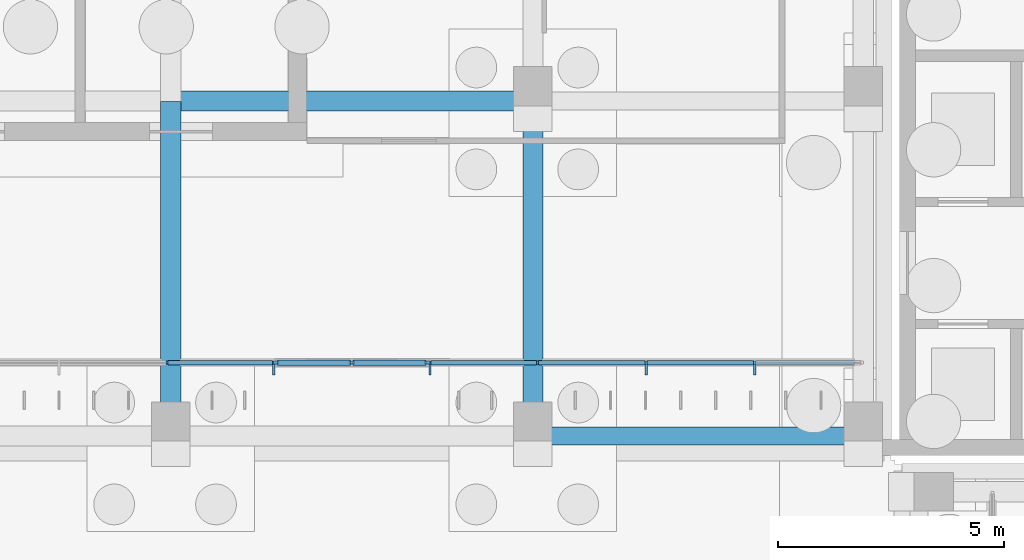
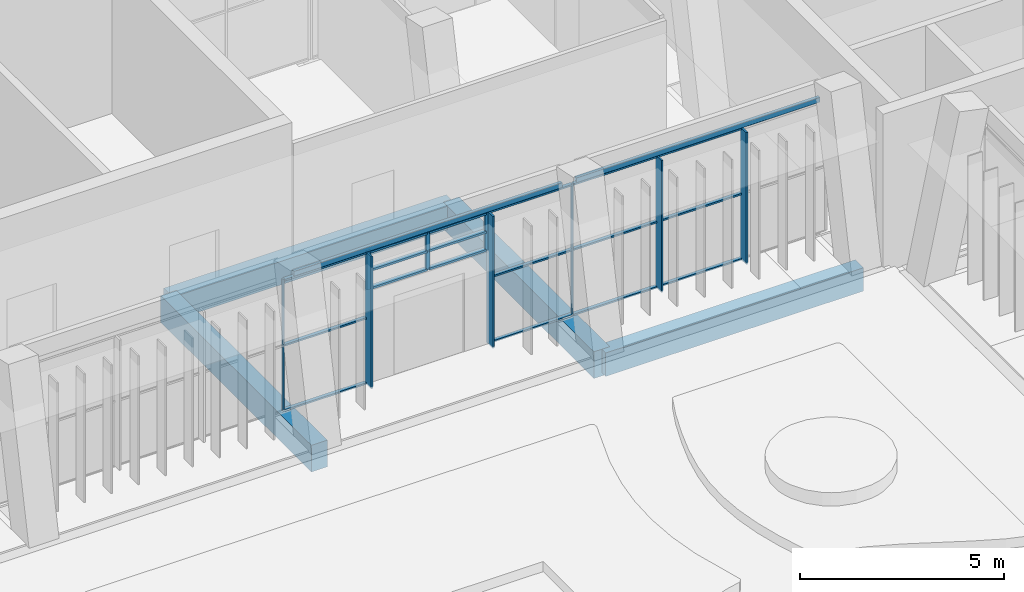
# One storey, part 78 of 144: 27 members, 6 beams, 3 elements without a shape of their own.
"""IFC4 building model written with IfcOpenShell, lengths in metres."""

from ifc_helpers import new_model, si_unit, direction, frame, origin, origin_2d, place, context, subcontext, project, spatial, rectangle, hollow_rectangle, extrude, material, material_profile, profile_set, type_object, element, aggregate, save


model = new_model("IFC4")

# Units and contexts
model_context = context("Model", 3, precision=1e-05, world=origin(), true_north=direction((0.0, 1.0)))
body_context = subcontext(model_context, "Body", "Model", "MODEL_VIEW")
ifc_project = project(units=[si_unit("LENGTHUNIT", "METRE"), si_unit("AREAUNIT", "SQUARE_METRE"), si_unit("VOLUMEUNIT", "CUBIC_METRE"), si_unit("PLANEANGLEUNIT", "RADIAN"), si_unit("MASSUNIT", "GRAM", prefix="KILO")], contexts=[model_context])

# Site, building, storey
site_placement = place(None, origin())
site = spatial("IfcSite", under=ifc_project, at=site_placement, CompositionType="ELEMENT")
building_placement = place(site_placement, origin())
building = spatial("IfcBuilding", under=site, at=building_placement, Name="Lantern Court Media Centre", CompositionType="ELEMENT")
storey_placement = place(building_placement, origin())
storey = spatial("IfcBuildingStorey", under=building, at=storey_placement, Name="L00", CompositionType="ELEMENT", Elevation=0.0)

# Curtain wall, member
ifc_material_1 = material(Name="Curtain wall bay 2400")
curtain_wall_type_1 = type_object("IfcCurtainWallType", Name="Curtain wall bay 2400", PredefinedType="NOTDEFINED", material=ifc_material_1)
curtain_wall_1_placement = place(storey_placement, origin())
curtain_wall_1 = element("IfcCurtainWall", 1, at=curtain_wall_1_placement, inside=storey, type_object=curtain_wall_type_1, Name="Curtain wall N inner L00", PredefinedType="NOTDEFINED")
ifc_material_2 = material(Name="Anodised aluminium", Category="aluminium")
ifc_material_profile_1 = material_profile(ifc_material_2, rectangle(XDim=0.300048828125, YDim=0.050048828125, at=origin_2d()), Name="AL 50x300")
ifc_profile_set_1 = profile_set([ifc_material_profile_1], Name="Anodised aluminium")
member_type_1 = type_object("IfcMemberType", Name="Curtain wall mullion 50x300", PredefinedType="MULLION", material=ifc_profile_set_1)
member_1_placement = place(storey_placement, frame((66.27490234375, 98.030029296875, 0.0), z_axis=(0.0, 0.0, 1.0), x_axis=(0.0, 1.0, 0.0)))
member_1 = element("IfcMember", 2, at=member_1_placement, type_object=member_type_1, Name="CW2 mullion 13", PredefinedType="MULLION", context=body_context, shape_type="SweptSolid", body=[
    extrude(rectangle(XDim=0.300048828125, YDim=0.050048828125, at=origin_2d()), origin(), (0.0, 0.0, 1.0), 3.949951171875),
])

# Curtain wall, members
curtain_wall_2_placement = place(storey_placement, origin())
curtain_wall_2 = element("IfcCurtainWall", 3, at=curtain_wall_2_placement, inside=storey, type_object=curtain_wall_type_1, Name="Curtain wall N inner L00", PredefinedType="NOTDEFINED")
member_2_placement = place(storey_placement, frame((69.72509765625, 98.030029296875, 0.0), z_axis=(0.0, 0.0, 1.0), x_axis=(0.0, 1.0, 0.0)))
member_2 = element("IfcMember", 4, at=member_2_placement, type_object=member_type_1, Name="CW2 mullion 1", PredefinedType="MULLION", context=body_context, shape_type="SweptSolid", body=[
    extrude(rectangle(XDim=0.300048828125, YDim=0.050048828125, at=origin_2d()), origin(), (0.0, 0.0, 1.0), 3.949951171875),
])
member_3_placement = place(storey_placement, frame((74.5, 98.030029296875, 0.0), z_axis=(0.0, 0.0, 1.0), x_axis=(0.0, 1.0, 0.0)))
member_3 = element("IfcMember", 5, at=member_3_placement, type_object=member_type_1, Name="CW2 mullion 3", PredefinedType="MULLION", context=body_context, shape_type="SweptSolid", body=[
    extrude(rectangle(XDim=0.300048828125, YDim=0.050048828125, at=origin_2d()), origin(), (0.0, 0.0, 1.0), 3.949951171875),
])
member_4_placement = place(storey_placement, frame((76.89990234375, 98.030029296875, 0.0), z_axis=(0.0, 0.0, 1.0), x_axis=(0.0, 1.0, 0.0)))
member_4 = element("IfcMember", 6, at=member_4_placement, type_object=member_type_1, Name="CW2 mullion 4", PredefinedType="MULLION", context=body_context, shape_type="SweptSolid", body=[
    extrude(rectangle(XDim=0.300048828125, YDim=0.050048828125, at=origin_2d()), origin(), (0.0, 0.0, 1.0), 3.949951171875),
])

# Member
ifc_material_profile_2 = material_profile(ifc_material_2, rectangle(XDim=0.06005859375, YDim=0.050048828125, at=origin_2d()), Name="AL 50x60")
ifc_profile_set_2 = profile_set([ifc_material_profile_2], Name="Anodised aluminium")
member_type_2 = type_object("IfcMemberType", Name="Curtain wall mullion 50x60", PredefinedType="MULLION", material=ifc_profile_set_2)
member_5_placement = place(storey_placement, frame((63.916748046875, 98.14990234375, 0.0), z_axis=(0.0, 0.0, 1.0), x_axis=(0.0, 1.0, 0.0)))
member_5 = element("IfcMember", 7, at=member_5_placement, type_object=member_type_2, Name="CW2 mullion 12", PredefinedType="MULLION", context=body_context, shape_type="SweptSolid", body=[
    extrude(rectangle(XDim=0.06005859375, YDim=0.050048828125, at=origin_2d()), origin(), (0.0, 0.0, 1.0), 3.949951171875),
])

member_6_placement = place(storey_placement, frame((72.10009765625, 98.14990234375, 0.0), z_axis=(0.0, 0.0, 1.0), x_axis=(0.0, 1.0, 0.0)))
member_6 = element("IfcMember", 8, at=member_6_placement, type_object=member_type_2, Name="CW2 mullion 2", PredefinedType="MULLION", context=body_context, shape_type="SweptSolid", body=[
    extrude(rectangle(XDim=0.06005859375, YDim=0.050048828125, at=origin_2d()), origin(), (0.0, 0.0, 1.0), 3.949951171875),
])

# Curtain wall, members
ifc_material_3 = material(Name="Curtain wall bay 1700")
curtain_wall_type_2 = type_object("IfcCurtainWallType", Name="Curtain wall bay 1700", PredefinedType="NOTDEFINED", material=ifc_material_3)
curtain_wall_3_placement = place(storey_placement, origin())
curtain_wall_3 = element("IfcCurtainWall", 9, at=curtain_wall_3_placement, inside=storey, type_object=curtain_wall_type_2, Name="Curtain wall N inner L00", PredefinedType="NOTDEFINED")
ifc_material_profile_3 = material_profile(ifc_material_2, rectangle(XDim=0.06005859375, YDim=0.1201171875, at=origin_2d()), Name="AL 60x120")
ifc_profile_set_3 = profile_set([ifc_material_profile_3], Name="Anodised aluminium")
member_type_3 = type_object("IfcMemberType", Name="Curtain wall mullion 60x120", PredefinedType="MULLION", material=ifc_profile_set_3)
member_7_placement = place(storey_placement, frame((66.330078125, 98.14990234375, 2.800048828125), z_axis=(0.0, 0.0, 1.0), x_axis=(0.0, 1.0, 0.0)))
member_7 = element("IfcMember", 10, at=member_7_placement, type_object=member_type_3, Name="CW4 mullion 1", PredefinedType="MULLION", context=body_context, shape_type="SweptSolid", body=[
    extrude(rectangle(XDim=0.06005859375, YDim=0.1201171875, at=origin_2d()), origin(), (0.0, 0.0, 1.0), 1.14990234375),
])
member_8_placement = place(storey_placement, frame((68.0, 98.14990234375, 2.800048828125), z_axis=(0.0, 0.0, 1.0), x_axis=(0.0, 1.0, 0.0)))
member_8 = element("IfcMember", 11, at=member_8_placement, type_object=member_type_3, Name="CW4 mullion 2", PredefinedType="MULLION", context=body_context, shape_type="SweptSolid", body=[
    extrude(rectangle(XDim=0.06005859375, YDim=0.1201171875, at=origin_2d()), origin(), (0.0, 0.0, 1.0), 1.14990234375),
])
member_9_placement = place(storey_placement, frame((69.669921875, 98.14990234375, 2.800048828125), z_axis=(0.0, 0.0, 1.0), x_axis=(0.0, 1.0, 0.0)))
member_9 = element("IfcMember", 12, at=member_9_placement, type_object=member_type_3, Name="CW4 mullion 3", PredefinedType="MULLION", context=body_context, shape_type="SweptSolid", body=[
    extrude(rectangle(XDim=0.06005859375, YDim=0.1201171875, at=origin_2d()), origin(), (0.0, 0.0, 1.0), 1.14990234375),
])

# Member
ifc_material_profile_4 = material_profile(ifc_material_2, rectangle(XDim=0.10009765625, YDim=0.050048828125, at=origin_2d()), Name="AL 50x100")
ifc_profile_set_4 = profile_set([ifc_material_profile_4], Name="Anodised aluminium")
member_type_4 = type_object("IfcMemberType", Name="Curtain wall transom 100x50", PredefinedType="USERDEFINED", material=ifc_profile_set_4)
member_10_placement = place(storey_placement, frame((63.941650390625, 98.14990234375, 0.02490234375), z_axis=(1.0, 0.0, 0.0), x_axis=(0.0, 1.0, 0.0)))
member_10 = element("IfcMember", 13, at=member_10_placement, type_object=member_type_4, Name="CW2 transom 12.1", ObjectType="TRANSOM", PredefinedType="USERDEFINED", context=body_context, shape_type="SweptSolid", body=[
    extrude(rectangle(XDim=0.10009765625, YDim=0.050048828125, at=origin_2d()), origin(), (0.0, 0.0, 1.0), 2.308349609375),
])

member_11_placement = place(storey_placement, frame((63.941650390625, 98.14990234375, 1.97509765625), z_axis=(1.0, 0.0, 0.0), x_axis=(0.0, 1.0, 0.0)))
member_11 = element("IfcMember", 14, at=member_11_placement, type_object=member_type_4, Name="CW2 transom 12.2", ObjectType="TRANSOM", PredefinedType="USERDEFINED", context=body_context, shape_type="SweptSolid", body=[
    extrude(rectangle(XDim=0.10009765625, YDim=0.050048828125, at=origin_2d()), origin(), (0.0, 0.0, 1.0), 2.308349609375),
])

member_12_placement = place(storey_placement, frame((63.941650390625, 98.14990234375, 3.925048828125), z_axis=(1.0, 0.0, 0.0), x_axis=(0.0, 1.0, 0.0)))
member_12 = element("IfcMember", 15, at=member_12_placement, type_object=member_type_4, Name="CW2 transom 12.3", ObjectType="TRANSOM", PredefinedType="USERDEFINED", context=body_context, shape_type="SweptSolid", body=[
    extrude(rectangle(XDim=0.10009765625, YDim=0.050048828125, at=origin_2d()), origin(), (0.0, 0.0, 1.0), 2.308349609375),
])

aggregate(curtain_wall_1, [member_5, member_1, member_10, member_11, member_12])

member_13_placement = place(storey_placement, frame((69.75, 98.14990234375, 0.02490234375), z_axis=(1.0, 0.0, 0.0), x_axis=(0.0, 1.0, 0.0)))
member_13 = element("IfcMember", 16, at=member_13_placement, type_object=member_type_4, Name="CW2 transom 1.1", ObjectType="TRANSOM", PredefinedType="USERDEFINED", context=body_context, shape_type="SweptSolid", body=[
    extrude(rectangle(XDim=0.10009765625, YDim=0.050048828125, at=origin_2d()), origin(), (0.0, 0.0, 1.0), 2.324951171875),
])

member_14_placement = place(storey_placement, frame((69.75, 98.14990234375, 1.97509765625), z_axis=(1.0, 0.0, 0.0), x_axis=(0.0, 1.0, 0.0)))
member_14 = element("IfcMember", 17, at=member_14_placement, type_object=member_type_4, Name="CW2 transom 1.2", ObjectType="TRANSOM", PredefinedType="USERDEFINED", context=body_context, shape_type="SweptSolid", body=[
    extrude(rectangle(XDim=0.10009765625, YDim=0.050048828125, at=origin_2d()), origin(), (0.0, 0.0, 1.0), 2.324951171875),
])

member_15_placement = place(storey_placement, frame((69.75, 98.14990234375, 3.925048828125), z_axis=(1.0, 0.0, 0.0), x_axis=(0.0, 1.0, 0.0)))
member_15 = element("IfcMember", 18, at=member_15_placement, type_object=member_type_4, Name="CW2 transom 1.3", ObjectType="TRANSOM", PredefinedType="USERDEFINED", context=body_context, shape_type="SweptSolid", body=[
    extrude(rectangle(XDim=0.10009765625, YDim=0.050048828125, at=origin_2d()), origin(), (0.0, 0.0, 1.0), 2.324951171875),
])

member_16_placement = place(storey_placement, frame((72.125, 98.14990234375, 0.02490234375), z_axis=(1.0, 0.0, 0.0), x_axis=(0.0, 1.0, 0.0)))
member_16 = element("IfcMember", 19, at=member_16_placement, type_object=member_type_4, Name="CW2 transom 2.1", ObjectType="TRANSOM", PredefinedType="USERDEFINED", context=body_context, shape_type="SweptSolid", body=[
    extrude(rectangle(XDim=0.10009765625, YDim=0.050048828125, at=origin_2d()), origin(), (0.0, 0.0, 1.0), 2.35009765625),
])

member_17_placement = place(storey_placement, frame((72.125, 98.14990234375, 1.97509765625), z_axis=(1.0, 0.0, 0.0), x_axis=(0.0, 1.0, 0.0)))
member_17 = element("IfcMember", 20, at=member_17_placement, type_object=member_type_4, Name="CW2 transom 2.2", ObjectType="TRANSOM", PredefinedType="USERDEFINED", context=body_context, shape_type="SweptSolid", body=[
    extrude(rectangle(XDim=0.10009765625, YDim=0.050048828125, at=origin_2d()), origin(), (0.0, 0.0, 1.0), 2.35009765625),
])

member_18_placement = place(storey_placement, frame((72.125, 98.14990234375, 3.925048828125), z_axis=(1.0, 0.0, 0.0), x_axis=(0.0, 1.0, 0.0)))
member_18 = element("IfcMember", 21, at=member_18_placement, type_object=member_type_4, Name="CW2 transom 2.3", ObjectType="TRANSOM", PredefinedType="USERDEFINED", context=body_context, shape_type="SweptSolid", body=[
    extrude(rectangle(XDim=0.10009765625, YDim=0.050048828125, at=origin_2d()), origin(), (0.0, 0.0, 1.0), 2.35009765625),
])

member_19_placement = place(storey_placement, frame((74.52490234375, 98.14990234375, 0.02490234375), z_axis=(1.0, 0.0, 0.0), x_axis=(0.0, 1.0, 0.0)))
member_19 = element("IfcMember", 22, at=member_19_placement, type_object=member_type_4, Name="CW2 transom 3.1", ObjectType="TRANSOM", PredefinedType="USERDEFINED", context=body_context, shape_type="SweptSolid", body=[
    extrude(rectangle(XDim=0.10009765625, YDim=0.050048828125, at=origin_2d()), origin(), (0.0, 0.0, 1.0), 2.35009765625),
])

member_20_placement = place(storey_placement, frame((74.52490234375, 98.14990234375, 1.97509765625), z_axis=(1.0, 0.0, 0.0), x_axis=(0.0, 1.0, 0.0)))
member_20 = element("IfcMember", 23, at=member_20_placement, type_object=member_type_4, Name="CW2 transom 3.2", ObjectType="TRANSOM", PredefinedType="USERDEFINED", context=body_context, shape_type="SweptSolid", body=[
    extrude(rectangle(XDim=0.10009765625, YDim=0.050048828125, at=origin_2d()), origin(), (0.0, 0.0, 1.0), 2.35009765625),
])

member_21_placement = place(storey_placement, frame((74.52490234375, 98.14990234375, 3.925048828125), z_axis=(1.0, 0.0, 0.0), x_axis=(0.0, 1.0, 0.0)))
member_21 = element("IfcMember", 24, at=member_21_placement, type_object=member_type_4, Name="CW2 transom 3.3", ObjectType="TRANSOM", PredefinedType="USERDEFINED", context=body_context, shape_type="SweptSolid", body=[
    extrude(rectangle(XDim=0.10009765625, YDim=0.050048828125, at=origin_2d()), origin(), (0.0, 0.0, 1.0), 2.35009765625),
])

aggregate(curtain_wall_2, [member_2, member_6, member_3, member_4, member_13, member_14, member_15, member_16, member_17, member_18, member_19, member_20, member_21])

ifc_material_profile_5 = material_profile(ifc_material_2, rectangle(XDim=0.1201171875, YDim=0.06005859375, at=origin_2d()), Name="AL 60x120")
ifc_profile_set_5 = profile_set([ifc_material_profile_5], Name="Anodised aluminium")
member_type_5 = type_object("IfcMemberType", Name="Curtain wall transom 60x120", PredefinedType="USERDEFINED", material=ifc_profile_set_5)
member_22_placement = place(storey_placement, frame((66.360107421875, 98.14990234375, 2.830078125), z_axis=(1.0, 0.0, 0.0), x_axis=(0.0, 1.0, 0.0)))
member_22 = element("IfcMember", 25, at=member_22_placement, type_object=member_type_5, Name="CW4 transom 1.1", ObjectType="TRANSOM", PredefinedType="USERDEFINED", context=body_context, shape_type="SweptSolid", body=[
    extrude(rectangle(XDim=0.1201171875, YDim=0.06005859375, at=origin_2d()), origin(), (0.0, 0.0, 1.0), 1.60986328125),
])

member_23_placement = place(storey_placement, frame((66.360107421875, 98.14990234375, 3.375), z_axis=(1.0, 0.0, 0.0), x_axis=(0.0, 1.0, 0.0)))
member_23 = element("IfcMember", 26, at=member_23_placement, type_object=member_type_5, Name="CW4 transom 1.2", ObjectType="TRANSOM", PredefinedType="USERDEFINED", context=body_context, shape_type="SweptSolid", body=[
    extrude(rectangle(XDim=0.1201171875, YDim=0.06005859375, at=origin_2d()), origin(), (0.0, 0.0, 1.0), 1.60986328125),
])

member_24_placement = place(storey_placement, frame((66.360107421875, 98.14990234375, 3.919921875), z_axis=(1.0, 0.0, 0.0), x_axis=(0.0, 1.0, 0.0)))
member_24 = element("IfcMember", 27, at=member_24_placement, type_object=member_type_5, Name="CW4 transom 1.3", ObjectType="TRANSOM", PredefinedType="USERDEFINED", context=body_context, shape_type="SweptSolid", body=[
    extrude(rectangle(XDim=0.1201171875, YDim=0.06005859375, at=origin_2d()), origin(), (0.0, 0.0, 1.0), 1.60986328125),
])

member_25_placement = place(storey_placement, frame((68.030029296875, 98.14990234375, 2.830078125), z_axis=(1.0, 0.0, 0.0), x_axis=(0.0, 1.0, 0.0)))
member_25 = element("IfcMember", 28, at=member_25_placement, type_object=member_type_5, Name="CW4 transom 2.1", ObjectType="TRANSOM", PredefinedType="USERDEFINED", context=body_context, shape_type="SweptSolid", body=[
    extrude(rectangle(XDim=0.1201171875, YDim=0.06005859375, at=origin_2d()), origin(), (0.0, 0.0, 1.0), 1.60986328125),
])

member_26_placement = place(storey_placement, frame((68.030029296875, 98.14990234375, 3.375), z_axis=(1.0, 0.0, 0.0), x_axis=(0.0, 1.0, 0.0)))
member_26 = element("IfcMember", 29, at=member_26_placement, type_object=member_type_5, Name="CW4 transom 2.2", ObjectType="TRANSOM", PredefinedType="USERDEFINED", context=body_context, shape_type="SweptSolid", body=[
    extrude(rectangle(XDim=0.1201171875, YDim=0.06005859375, at=origin_2d()), origin(), (0.0, 0.0, 1.0), 1.60986328125),
])

member_27_placement = place(storey_placement, frame((68.030029296875, 98.14990234375, 3.919921875), z_axis=(1.0, 0.0, 0.0), x_axis=(0.0, 1.0, 0.0)))
member_27 = element("IfcMember", 30, at=member_27_placement, type_object=member_type_5, Name="CW4 transom 2.3", ObjectType="TRANSOM", PredefinedType="USERDEFINED", context=body_context, shape_type="SweptSolid", body=[
    extrude(rectangle(XDim=0.1201171875, YDim=0.06005859375, at=origin_2d()), origin(), (0.0, 0.0, 1.0), 1.60986328125),
])

aggregate(curtain_wall_3, [member_7, member_8, member_9, member_22, member_23, member_24, member_25, member_26, member_27])

# Beams
ifc_material_4 = material(Name="Steel S355J2 (EN 10025-2)", Category="steel")
ifc_material_profile_6 = material_profile(ifc_material_4, hollow_rectangle(XDim=0.10009765625, YDim=0.14990234375, WallThickness=0.00634765625, InnerFilletRadius=0.00634765625, OuterFilletRadius=0.009521484375, at=origin_2d()), Name="Facade head lintel RHS 150x100x6.3")
ifc_profile_set_6 = profile_set([ifc_material_profile_6], Name="Steel S355J2 (EN 10025-2)")
beam_type_1 = type_object("IfcBeamType", Name="Facade head lintel RHS 150x100x6.3", PredefinedType="BEAM", material=ifc_profile_set_6)
beam_1_placement = place(storey_placement, frame((64.199951171875, 98.14990234375, 4.02490234375), z_axis=(1.0, 0.0, 0.0), x_axis=(0.0, 1.0, 0.0)))
element("IfcBeam", 31, at=beam_1_placement, inside=storey, type_object=beam_type_1, Name="Facade head lintel N L00", PredefinedType="BEAM", context=body_context, shape_type="SweptSolid", body=[
    extrude(hollow_rectangle(XDim=0.10009765625, YDim=0.14990234375, WallThickness=0.00634765625, InnerFilletRadius=0.00634765625, OuterFilletRadius=0.009521484375, at=origin_2d()), origin(), (0.0, 0.0, 1.0), 7.60009765625),
])
beam_2_placement = place(storey_placement, frame((72.199951171875, 98.14990234375, 4.02490234375), z_axis=(1.0, 0.0, 0.0), x_axis=(0.0, 1.0, 0.0)))
element("IfcBeam", 32, at=beam_2_placement, inside=storey, type_object=beam_type_1, Name="Facade head lintel N L00", PredefinedType="BEAM", context=body_context, shape_type="SweptSolid", body=[
    extrude(hollow_rectangle(XDim=0.10009765625, YDim=0.14990234375, WallThickness=0.00634765625, InnerFilletRadius=0.00634765625, OuterFilletRadius=0.009521484375, at=origin_2d()), origin(), (0.0, 0.0, 1.0), 6.900146484375),
])
ifc_material_5 = material(Name="Concrete C35", Category="concrete")
ifc_material_profile_7 = material_profile(ifc_material_5, rectangle(XDim=0.39990234375, YDim=0.699951171875, at=origin_2d()), Name="RC 400x700")
ifc_profile_set_7 = profile_set([ifc_material_profile_7], Name="Concrete C35")
beam_type_2 = type_object("IfcBeamType", Name="RC BEAM 400x700", PredefinedType="BEAM", material=ifc_profile_set_7)
beam_3_placement = place(storey_placement, frame((72.0, 96.527099609375, -0.35009765625), z_axis=(1.0, 0.0, 0.0), x_axis=(0.0, 1.0, 0.0)))
element("IfcBeam", 33, at=beam_3_placement, inside=storey, type_object=beam_type_2, Name="LB-N-L00-0-6", PredefinedType="BEAM", context=body_context, shape_type="SweptSolid", body=[
    extrude(rectangle(XDim=0.39990234375, YDim=0.699951171875, at=origin_2d()), origin(), (0.0, 0.0, 1.0), 7.300048828125),
])
ifc_material_profile_8 = material_profile(ifc_material_5, rectangle(XDim=0.449951171875, YDim=0.699951171875, at=origin_2d()), Name="RC 450x700")
ifc_profile_set_8 = profile_set([ifc_material_profile_8], Name="Concrete C35")
beam_type_3 = type_object("IfcBeamType", Name="RC BEAM 450x700", PredefinedType="BEAM", material=ifc_profile_set_8)
beam_4_placement = place(storey_placement, frame((64.0, 103.927001953125, -0.35009765625), z_axis=(1.0, 0.0, 0.0), x_axis=(0.0, 1.0, 0.0)))
element("IfcBeam", 34, at=beam_4_placement, inside=storey, type_object=beam_type_3, Name="LB-N-L00-1-5", PredefinedType="BEAM", context=body_context, shape_type="SweptSolid", body=[
    extrude(rectangle(XDim=0.449951171875, YDim=0.699951171875, at=origin_2d()), origin(), (0.0, 0.0, 1.0), 8.0),
])
ifc_material_profile_9 = material_profile(ifc_material_5, rectangle(XDim=0.449951171875, YDim=0.800048828125, at=origin_2d()), Name="RC 450x800")
ifc_profile_set_9 = profile_set([ifc_material_profile_9], Name="Concrete C35")
beam_type_4 = type_object("IfcBeamType", Name="RC BEAM 450x800", PredefinedType="BEAM", material=ifc_profile_set_9)
for number, where, z_axis, x_axis, name in (
    (35, (64.0, 96.5166015625, -0.39990234375), (0.0, 1.0, 0.0), (-1.0, 0.0, 0.0), "TB-N-L00-5-1"),
    (36, (72.0, 96.5166015625, -0.39990234375), (0.0, 1.0, 0.0), (-1.0, 0.0, 0.0), "TB-N-L00-6-1"),
):
    element("IfcBeam", number, at=place(storey_placement, frame(where, z_axis=z_axis, x_axis=x_axis)), inside=storey, type_object=beam_type_4, Name=name, PredefinedType="BEAM", context=body_context, shape_type="SweptSolid", body=[
        extrude(rectangle(XDim=0.449951171875, YDim=0.800048828125, at=origin_2d()), origin(), (0.0, 0.0, 1.0), 7.400146484375),
    ])

save(model, "model.ifc")
